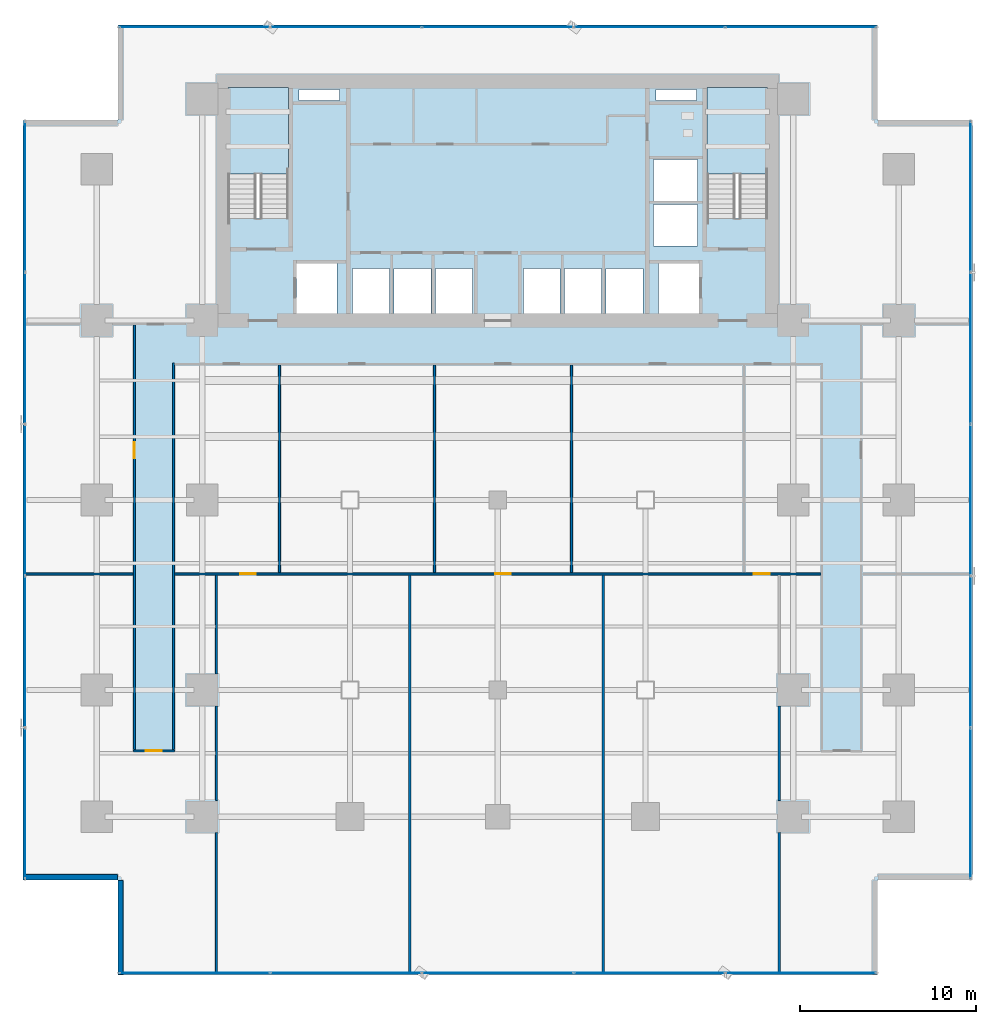
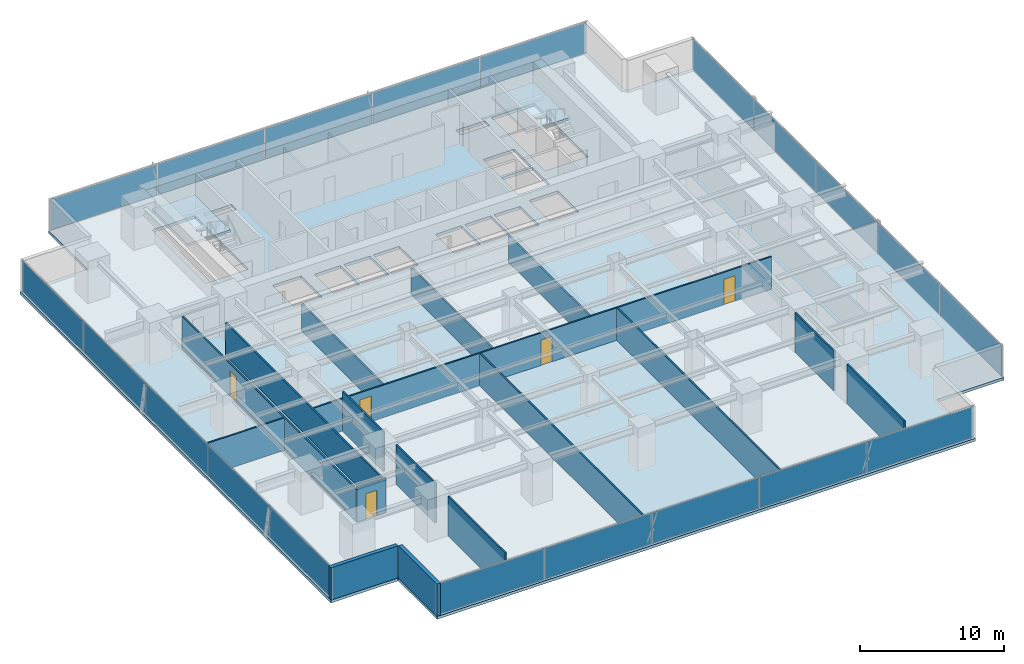
# One storey, part 24 of 33: 20 plates, 17 walls, 5 doors, 3 slabs, 5 openings, 6 elements without a shape of their own.
"""IFC4 building model written with IfcOpenShell, lengths in metres."""

from ifc_helpers import new_model, si_unit, direction, frame, frame_2d, origin, origin_2d, place, context, subcontext, project, spatial, polyline, rectangle, outline, extrude, source, transform, mapped, material, layer, layer_set, type_object, element, fill, aggregate, save


model = new_model("IFC4")

# Units and contexts
model_context = context("Model", 3, precision=1e-05, world=origin(), true_north=direction((0.0, 1.0)))
body_context = subcontext(model_context, "Body", "Model", "MODEL_VIEW")
ifc_project = project(units=[si_unit("LENGTHUNIT", "METRE"), si_unit("AREAUNIT", "SQUARE_METRE"), si_unit("VOLUMEUNIT", "CUBIC_METRE"), si_unit("PLANEANGLEUNIT", "RADIAN"), si_unit("MASSUNIT", "GRAM", prefix="KILO")], contexts=[model_context])

# Site, building, storey
site_placement = place(None, origin())
site = spatial("IfcSite", under=ifc_project, at=site_placement, CompositionType="ELEMENT")
building_placement = place(site_placement, origin())
building = spatial("IfcBuilding", under=site, at=building_placement, Name="Sumidabori Civic Tower", CompositionType="ELEMENT")
storey_placement = place(building_placement, frame((0.0, 0.0, 27.199951171875)))
storey = spatial("IfcBuildingStorey", under=building, at=storey_placement, Name="L06", CompositionType="ELEMENT", Elevation=27.199951171875)

# Stair, slab
ifc_material_1 = material(Name="Concrete C40/50", Category="concrete")
stair_type = type_object("IfcStairType", Name="ST-CORE-1600", PredefinedType="HALF_TURN_STAIR", material=ifc_material_1)
stair_1_placement = place(storey_placement, origin())
stair_1 = element("IfcStair", 1, at=stair_1_placement, inside=storey, type_object=stair_type, Name="L06 ST-1", PredefinedType="HALF_TURN_STAIR")
ifc_layer_1 = layer(ifc_material_1, 0.199951171875, Name="Concrete C40/50")
ifc_layer_set_1 = layer_set([ifc_layer_1], Name="Concrete C40/50")
slab_type_1 = type_object("IfcSlabType", Name="SL-LAND-200", PredefinedType="LANDING", material=ifc_layer_set_1)
slab_1_placement = place(storey_placement, frame((0.0, 0.0, 1.60009765625)))
slab_1 = element("IfcSlab", 2, at=slab_1_placement, type_object=slab_type_1, Name="ST-1 landing 1", PredefinedType="LANDING", context=body_context, shape_type="SweptSolid", body=[
    extrude(outline(polyline([(-11.89990234375, 18.52001953125), (-11.89990234375, 23.449951171875), (-15.340087890625, 23.449951171875), (-15.340087890625, 18.52001953125), (-11.89990234375, 18.52001953125)])), origin(), (0.0, 0.0, 1.0), 0.199951171875),
])
aggregate(stair_1, [slab_1])

stair_2_placement = place(storey_placement, origin())
stair_2 = element("IfcStair", 3, at=stair_2_placement, inside=storey, type_object=stair_type, Name="L06 ST-2", PredefinedType="HALF_TURN_STAIR")
slab_2_placement = place(storey_placement, frame((0.0, 0.0, 1.60009765625)))
slab_2 = element("IfcSlab", 4, at=slab_2_placement, type_object=slab_type_1, Name="ST-2 landing 1", PredefinedType="LANDING", context=body_context, shape_type="SweptSolid", body=[
    extrude(outline(polyline([(15.340087890625, 18.52001953125), (15.340087890625, 23.449951171875), (11.89990234375, 23.449951171875), (11.89990234375, 18.52001953125), (15.340087890625, 18.52001953125)])), origin(), (0.0, 0.0, 1.0), 0.199951171875),
])
aggregate(stair_2, [slab_2])

# Slab
ifc_layer_2 = layer(ifc_material_1, 0.239990234375, Name="Concrete C40/50")
ifc_layer_set_2 = layer_set([ifc_layer_2], Name="Concrete C40/50")
slab_type_2 = type_object("IfcSlabType", Name="SL-Z1-240", PredefinedType="FLOOR", material=ifc_layer_set_2)
slab_3_placement = place(storey_placement, frame((0.0, 0.0, -0.239990234375)))
element("IfcSlab", 5, at=slab_3_placement, inside=storey, type_object=slab_type_2, Name="Structural Slab L06", PredefinedType="FLOOR", context=body_context, shape_type="SweptSolid", body=[
    extrude(outline(polyline([(-21.60009765625, -27.0), (21.60009765625, -27.0), (21.60009765625, -21.60009765625), (27.0, -21.60009765625), (27.0, 21.60009765625), (21.60009765625, 21.60009765625), (21.60009765625, 27.0), (-21.60009765625, 27.0), (-21.60009765625, 21.60009765625), (-27.0, 21.60009765625), (-27.0, -21.60009765625), (-21.60009765625, -21.60009765625), (-21.60009765625, -27.0)]), holes=[polyline([(-11.89990234375, 16.0), (-11.89990234375, 23.449951171875), (-15.340087890625, 23.449951171875), (-15.340087890625, 16.0), (-11.89990234375, 16.0)]), polyline([(15.340087890625, 16.0), (15.340087890625, 23.449951171875), (11.89990234375, 23.449951171875), (11.89990234375, 16.0), (15.340087890625, 16.0)]), polyline([(-11.449951171875, 10.550048828125), (-9.14990234375, 10.550048828125), (-9.14990234375, 13.449951171875), (-11.449951171875, 13.449951171875), (-11.449951171875, 10.550048828125)]), polyline([(9.14990234375, 10.550048828125), (11.449951171875, 10.550048828125), (11.449951171875, 13.449951171875), (9.14990234375, 13.449951171875), (9.14990234375, 10.550048828125)]), polyline([(-8.25, 10.550048828125), (-6.14990234375, 10.550048828125), (-6.14990234375, 13.14990234375), (-8.25, 13.14990234375), (-8.25, 10.550048828125)]), polyline([(-5.89990234375, 10.550048828125), (-3.800048828125, 10.550048828125), (-3.800048828125, 13.14990234375), (-5.89990234375, 13.14990234375), (-5.89990234375, 10.550048828125)]), polyline([(-3.550048828125, 10.550048828125), (-1.449951171875, 10.550048828125), (-1.449951171875, 13.14990234375), (-3.550048828125, 13.14990234375), (-3.550048828125, 10.550048828125)]), polyline([(1.449951171875, 10.550048828125), (3.550048828125, 10.550048828125), (3.550048828125, 13.14990234375), (1.449951171875, 13.14990234375), (1.449951171875, 10.550048828125)]), polyline([(3.800048828125, 10.550048828125), (5.89990234375, 10.550048828125), (5.89990234375, 13.14990234375), (3.800048828125, 13.14990234375), (3.800048828125, 10.550048828125)]), polyline([(6.14990234375, 10.550048828125), (8.25, 10.550048828125), (8.25, 13.14990234375), (6.14990234375, 13.14990234375), (6.14990234375, 10.550048828125)]), polyline([(8.85009765625, 14.449951171875), (11.35009765625, 14.449951171875), (11.35009765625, 16.800048828125), (8.85009765625, 16.800048828125), (8.85009765625, 14.449951171875)]), polyline([(8.85009765625, 17.0), (11.35009765625, 17.0), (11.35009765625, 19.35009765625), (8.85009765625, 19.35009765625), (8.85009765625, 17.0)]), polyline([(-11.300048828125, 22.719970703125), (-9.0, 22.719970703125), (-9.0, 23.35009765625), (-11.300048828125, 23.35009765625), (-11.300048828125, 22.719970703125)]), polyline([(9.0, 22.719970703125), (11.300048828125, 22.719970703125), (11.300048828125, 23.35009765625), (9.0, 23.35009765625), (9.0, 22.719970703125)])]), origin(), (0.0, 0.0, 1.0), 0.239990234375),
])

# Curtain wall, plates
ifc_material_2 = material(Name="Anodised Bronze Aluminium AW-6063-T6", Category="aluminium")
ifc_layer_3 = layer(ifc_material_2, 0.179931640625, Name="Anodised Bronze Aluminium AW-6063-T6")
ifc_layer_set_3 = layer_set([ifc_layer_3], Name="Anodised Bronze Aluminium AW-6063-T6")
curtain_wall_type = type_object("IfcCurtainWallType", Name="CW-SYS-2", PredefinedType="NOTDEFINED", material=ifc_layer_set_3)
curtain_wall_1_placement = place(storey_placement, origin())
curtain_wall_1 = element("IfcCurtainWall", 6, at=curtain_wall_1_placement, inside=storey, type_object=curtain_wall_type, Name="Curtain Wall CW:L06:R01", PredefinedType="NOTDEFINED")
ifc_material_3 = material(Name="Low-E Solar-Control Vision Glazing", Category="glass")
ifc_layer_4 = layer(ifc_material_3, 0.028076171875, Name="Low-E Solar-Control Vision Glazing")
ifc_layer_set_4 = layer_set([ifc_layer_4], Name="Low-E Solar-Control Vision Glazing")
plate_type = type_object("IfcPlateType", Name="CW-PNL-28", PredefinedType="CURTAIN_PANEL", material=ifc_layer_set_4)
shared_shape_1 = source(origin(), body_context, "Body", "SweptSolid", [
    extrude(rectangle(XDim=8.52294921875, YDim=0.028076171875, at=origin_2d()), origin(), (0.0, 0.0, 1.0), 2.610107421875),
])
plate_1_placement = place(storey_placement, frame((-17.238525390625, -26.8798828125, 0.06494140625), z_axis=(0.0, 0.0, 1.0), x_axis=(1.0, 0.0, 0.0)))
plate_1 = element("IfcPlate", 7, at=plate_1_placement, type_object=plate_type, Name="CW-2 panel 1.1", PredefinedType="CURTAIN_PANEL", context=body_context, shape_type="MappedRepresentation", body=[
    mapped(shared_shape_1, transform((0.0, 0.0, 0.0), x_axis=(1.0, 0.0, 0.0), y_axis=(0.0, 1.0, 0.0), z_axis=(0.0, 0.0, 1.0), scale=1.0)),
])
plate_2_placement = place(storey_placement, frame((17.238525390625, -26.8798828125, 0.06494140625), z_axis=(0.0, 0.0, 1.0), x_axis=(1.0, 0.0, 0.0)))
plate_2 = element("IfcPlate", 8, at=plate_2_placement, type_object=plate_type, Name="CW-2 panel 5.1", PredefinedType="CURTAIN_PANEL", context=body_context, shape_type="MappedRepresentation", body=[
    mapped(shared_shape_1, transform((0.0, 0.0, 0.0), x_axis=(1.0, 0.0, 0.0), y_axis=(0.0, 1.0, 0.0), z_axis=(0.0, 0.0, 1.0), scale=1.0)),
])

curtain_wall_2_placement = place(storey_placement, origin())
curtain_wall_2 = element("IfcCurtainWall", 9, at=curtain_wall_2_placement, inside=storey, type_object=curtain_wall_type, Name="Curtain Wall CW:L06:R04", PredefinedType="NOTDEFINED")
plate_3_placement = place(storey_placement, frame((26.8798828125, -17.238525390625, 0.06494140625), z_axis=(0.0, 0.0, 1.0), x_axis=(0.0, 1.0, 0.0)))
plate_3 = element("IfcPlate", 10, at=plate_3_placement, type_object=plate_type, Name="CW-2 panel 1.1", PredefinedType="CURTAIN_PANEL", context=body_context, shape_type="MappedRepresentation", body=[
    mapped(shared_shape_1, transform((0.0, 0.0, 0.0), x_axis=(1.0, 0.0, 0.0), y_axis=(0.0, 1.0, 0.0), z_axis=(0.0, 0.0, 1.0), scale=1.0)),
])
plate_4_placement = place(storey_placement, frame((26.8798828125, 17.238525390625, 0.06494140625), z_axis=(0.0, 0.0, 1.0), x_axis=(0.0, 1.0, 0.0)))
plate_4 = element("IfcPlate", 11, at=plate_4_placement, type_object=plate_type, Name="CW-2 panel 5.1", PredefinedType="CURTAIN_PANEL", context=body_context, shape_type="MappedRepresentation", body=[
    mapped(shared_shape_1, transform((0.0, 0.0, 0.0), x_axis=(1.0, 0.0, 0.0), y_axis=(0.0, 1.0, 0.0), z_axis=(0.0, 0.0, 1.0), scale=1.0)),
])

curtain_wall_3_placement = place(storey_placement, origin())
curtain_wall_3 = element("IfcCurtainWall", 12, at=curtain_wall_3_placement, inside=storey, type_object=curtain_wall_type, Name="Curtain Wall CW:L06:R07", PredefinedType="NOTDEFINED")
plate_5_placement = place(storey_placement, frame((17.238525390625, 26.8798828125, 0.06494140625), z_axis=(0.0, 0.0, 1.0), x_axis=(-1.0, 0.0, 0.0)))
plate_5 = element("IfcPlate", 13, at=plate_5_placement, type_object=plate_type, Name="CW-2 panel 1.1", PredefinedType="CURTAIN_PANEL", context=body_context, shape_type="MappedRepresentation", body=[
    mapped(shared_shape_1, transform((0.0, 0.0, 0.0), x_axis=(1.0, 0.0, 0.0), y_axis=(0.0, 1.0, 0.0), z_axis=(0.0, 0.0, 1.0), scale=1.0)),
])
plate_6_placement = place(storey_placement, frame((-17.238525390625, 26.8798828125, 0.06494140625), z_axis=(0.0, 0.0, 1.0), x_axis=(-1.0, 0.0, 0.0)))
plate_6 = element("IfcPlate", 14, at=plate_6_placement, type_object=plate_type, Name="CW-2 panel 5.1", PredefinedType="CURTAIN_PANEL", context=body_context, shape_type="MappedRepresentation", body=[
    mapped(shared_shape_1, transform((0.0, 0.0, 0.0), x_axis=(1.0, 0.0, 0.0), y_axis=(0.0, 1.0, 0.0), z_axis=(0.0, 0.0, 1.0), scale=1.0)),
])

curtain_wall_4_placement = place(storey_placement, origin())
curtain_wall_4 = element("IfcCurtainWall", 15, at=curtain_wall_4_placement, inside=storey, type_object=curtain_wall_type, Name="Curtain Wall CW:L06:R10", PredefinedType="NOTDEFINED")
plate_7_placement = place(storey_placement, frame((-26.8798828125, 17.238525390625, 0.06494140625), z_axis=(0.0, 0.0, 1.0), x_axis=(0.0, -1.0, 0.0)))
plate_7 = element("IfcPlate", 16, at=plate_7_placement, type_object=plate_type, Name="CW-2 panel 1.1", PredefinedType="CURTAIN_PANEL", context=body_context, shape_type="MappedRepresentation", body=[
    mapped(shared_shape_1, transform((0.0, 0.0, 0.0), x_axis=(1.0, 0.0, 0.0), y_axis=(0.0, 1.0, 0.0), z_axis=(0.0, 0.0, 1.0), scale=1.0)),
])
plate_8_placement = place(storey_placement, frame((-26.8798828125, -17.238525390625, 0.06494140625), z_axis=(0.0, 0.0, 1.0), x_axis=(0.0, -1.0, 0.0)))
plate_8 = element("IfcPlate", 17, at=plate_8_placement, type_object=plate_type, Name="CW-2 panel 5.1", PredefinedType="CURTAIN_PANEL", context=body_context, shape_type="MappedRepresentation", body=[
    mapped(shared_shape_1, transform((0.0, 0.0, 0.0), x_axis=(1.0, 0.0, 0.0), y_axis=(0.0, 1.0, 0.0), z_axis=(0.0, 0.0, 1.0), scale=1.0)),
])

# Plate
shared_shape_2 = source(origin(), body_context, "Body", "SweptSolid", [
    extrude(rectangle(XDim=8.55810546875, YDim=0.028076171875, at=origin_2d()), origin(), (0.0, 0.0, 1.0), 2.610107421875),
])
plate_9_placement = place(storey_placement, frame((-8.6279296875, -26.8798828125, 0.06494140625), z_axis=(0.0, 0.0, 1.0), x_axis=(1.0, 0.0, 0.0)))
plate_9 = element("IfcPlate", 18, at=plate_9_placement, type_object=plate_type, Name="CW-2 panel 2.1", PredefinedType="CURTAIN_PANEL", context=body_context, shape_type="MappedRepresentation", body=[
    mapped(shared_shape_2, transform((0.0, 0.0, 0.0), x_axis=(1.0, 0.0, 0.0), y_axis=(0.0, 1.0, 0.0), z_axis=(0.0, 0.0, 1.0), scale=1.0)),
])

plate_10_placement = place(storey_placement, frame((0.0, -26.8798828125, 0.06494140625), z_axis=(0.0, 0.0, 1.0), x_axis=(1.0, 0.0, 0.0)))
plate_10 = element("IfcPlate", 19, at=plate_10_placement, type_object=plate_type, Name="CW-2 panel 3.1", PredefinedType="CURTAIN_PANEL", context=body_context, shape_type="MappedRepresentation", body=[
    mapped(shared_shape_2, transform((0.0, 0.0, 0.0), x_axis=(1.0, 0.0, 0.0), y_axis=(0.0, 1.0, 0.0), z_axis=(0.0, 0.0, 1.0), scale=1.0)),
])

plate_11_placement = place(storey_placement, frame((8.6279296875, -26.8798828125, 0.06494140625), z_axis=(0.0, 0.0, 1.0), x_axis=(1.0, 0.0, 0.0)))
plate_11 = element("IfcPlate", 20, at=plate_11_placement, type_object=plate_type, Name="CW-2 panel 4.1", PredefinedType="CURTAIN_PANEL", context=body_context, shape_type="MappedRepresentation", body=[
    mapped(shared_shape_2, transform((0.0, 0.0, 0.0), x_axis=(1.0, 0.0, 0.0), y_axis=(0.0, 1.0, 0.0), z_axis=(0.0, 0.0, 1.0), scale=1.0)),
])

aggregate(curtain_wall_1, [plate_1, plate_9, plate_10, plate_11, plate_2])

plate_12_placement = place(storey_placement, frame((26.8798828125, -8.6279296875, 0.06494140625), z_axis=(0.0, 0.0, 1.0), x_axis=(0.0, 1.0, 0.0)))
plate_12 = element("IfcPlate", 21, at=plate_12_placement, type_object=plate_type, Name="CW-2 panel 2.1", PredefinedType="CURTAIN_PANEL", context=body_context, shape_type="MappedRepresentation", body=[
    mapped(shared_shape_2, transform((0.0, 0.0, 0.0), x_axis=(1.0, 0.0, 0.0), y_axis=(0.0, 1.0, 0.0), z_axis=(0.0, 0.0, 1.0), scale=1.0)),
])

plate_13_placement = place(storey_placement, frame((26.8798828125, 0.0, 0.06494140625), z_axis=(0.0, 0.0, 1.0), x_axis=(0.0, 1.0, 0.0)))
plate_13 = element("IfcPlate", 22, at=plate_13_placement, type_object=plate_type, Name="CW-2 panel 3.1", PredefinedType="CURTAIN_PANEL", context=body_context, shape_type="MappedRepresentation", body=[
    mapped(shared_shape_2, transform((0.0, 0.0, 0.0), x_axis=(1.0, 0.0, 0.0), y_axis=(0.0, 1.0, 0.0), z_axis=(0.0, 0.0, 1.0), scale=1.0)),
])

plate_14_placement = place(storey_placement, frame((26.8798828125, 8.6279296875, 0.06494140625), z_axis=(0.0, 0.0, 1.0), x_axis=(0.0, 1.0, 0.0)))
plate_14 = element("IfcPlate", 23, at=plate_14_placement, type_object=plate_type, Name="CW-2 panel 4.1", PredefinedType="CURTAIN_PANEL", context=body_context, shape_type="MappedRepresentation", body=[
    mapped(shared_shape_2, transform((0.0, 0.0, 0.0), x_axis=(1.0, 0.0, 0.0), y_axis=(0.0, 1.0, 0.0), z_axis=(0.0, 0.0, 1.0), scale=1.0)),
])

aggregate(curtain_wall_2, [plate_3, plate_12, plate_13, plate_14, plate_4])

plate_15_placement = place(storey_placement, frame((8.6279296875, 26.8798828125, 0.06494140625), z_axis=(0.0, 0.0, 1.0), x_axis=(-1.0, 0.0, 0.0)))
plate_15 = element("IfcPlate", 24, at=plate_15_placement, type_object=plate_type, Name="CW-2 panel 2.1", PredefinedType="CURTAIN_PANEL", context=body_context, shape_type="MappedRepresentation", body=[
    mapped(shared_shape_2, transform((0.0, 0.0, 0.0), x_axis=(1.0, 0.0, 0.0), y_axis=(0.0, 1.0, 0.0), z_axis=(0.0, 0.0, 1.0), scale=1.0)),
])

plate_16_placement = place(storey_placement, frame((0.0, 26.8798828125, 0.06494140625), z_axis=(0.0, 0.0, 1.0), x_axis=(-1.0, 0.0, 0.0)))
plate_16 = element("IfcPlate", 25, at=plate_16_placement, type_object=plate_type, Name="CW-2 panel 3.1", PredefinedType="CURTAIN_PANEL", context=body_context, shape_type="MappedRepresentation", body=[
    mapped(shared_shape_2, transform((0.0, 0.0, 0.0), x_axis=(1.0, 0.0, 0.0), y_axis=(0.0, 1.0, 0.0), z_axis=(0.0, 0.0, 1.0), scale=1.0)),
])

plate_17_placement = place(storey_placement, frame((-8.6279296875, 26.8798828125, 0.06494140625), z_axis=(0.0, 0.0, 1.0), x_axis=(-1.0, 0.0, 0.0)))
plate_17 = element("IfcPlate", 26, at=plate_17_placement, type_object=plate_type, Name="CW-2 panel 4.1", PredefinedType="CURTAIN_PANEL", context=body_context, shape_type="MappedRepresentation", body=[
    mapped(shared_shape_2, transform((0.0, 0.0, 0.0), x_axis=(1.0, 0.0, 0.0), y_axis=(0.0, 1.0, 0.0), z_axis=(0.0, 0.0, 1.0), scale=1.0)),
])

aggregate(curtain_wall_3, [plate_5, plate_15, plate_16, plate_17, plate_6])

plate_18_placement = place(storey_placement, frame((-26.8798828125, 8.6279296875, 0.06494140625), z_axis=(0.0, 0.0, 1.0), x_axis=(0.0, -1.0, 0.0)))
plate_18 = element("IfcPlate", 27, at=plate_18_placement, type_object=plate_type, Name="CW-2 panel 2.1", PredefinedType="CURTAIN_PANEL", context=body_context, shape_type="MappedRepresentation", body=[
    mapped(shared_shape_2, transform((0.0, 0.0, 0.0), x_axis=(1.0, 0.0, 0.0), y_axis=(0.0, 1.0, 0.0), z_axis=(0.0, 0.0, 1.0), scale=1.0)),
])

plate_19_placement = place(storey_placement, frame((-26.8798828125, 0.0, 0.06494140625), z_axis=(0.0, 0.0, 1.0), x_axis=(0.0, -1.0, 0.0)))
plate_19 = element("IfcPlate", 28, at=plate_19_placement, type_object=plate_type, Name="CW-2 panel 3.1", PredefinedType="CURTAIN_PANEL", context=body_context, shape_type="MappedRepresentation", body=[
    mapped(shared_shape_2, transform((0.0, 0.0, 0.0), x_axis=(1.0, 0.0, 0.0), y_axis=(0.0, 1.0, 0.0), z_axis=(0.0, 0.0, 1.0), scale=1.0)),
])

plate_20_placement = place(storey_placement, frame((-26.8798828125, -8.6279296875, 0.06494140625), z_axis=(0.0, 0.0, 1.0), x_axis=(0.0, -1.0, 0.0)))
plate_20 = element("IfcPlate", 29, at=plate_20_placement, type_object=plate_type, Name="CW-2 panel 4.1", PredefinedType="CURTAIN_PANEL", context=body_context, shape_type="MappedRepresentation", body=[
    mapped(shared_shape_2, transform((0.0, 0.0, 0.0), x_axis=(1.0, 0.0, 0.0), y_axis=(0.0, 1.0, 0.0), z_axis=(0.0, 0.0, 1.0), scale=1.0)),
])

aggregate(curtain_wall_4, [plate_7, plate_18, plate_19, plate_20, plate_8])

# Walls
ifc_material_4 = material(Name="Precast concrete C40/50", Category="concrete")
ifc_layer_5 = layer(ifc_material_4, 0.300048828125, Name="Precast concrete C40/50")
ifc_layer_set_5 = layer_set([ifc_layer_5], Name="Precast concrete C40/50")
wall_type_1 = type_object("IfcWallType", Name="WL-EXT-POD300", PredefinedType="STANDARD", material=ifc_layer_set_5)
shared_shape_3 = source(origin(), body_context, "Body", "SweptSolid", [
    extrude(rectangle(XDim=5.35986328125, YDim=0.300048828125, at=frame_2d((2.679931640625, 0.0))), origin(), (0.0, 0.0, 1.0), 2.739990234375),
])
for number, where, z_axis, x_axis, name in (
    (30, (-26.97998046875, -21.449951171875, 0.0), (0.0, 0.0, 1.0), (1.0, 0.0, 0.0), "Notched Corner Spandrel Band L06-11"),
    (31, (-21.449951171875, -21.6201171875, 0.0), (0.0, 0.0, 1.0), (0.0, -1.0, 0.0), "Notched Corner Spandrel Band L06-12"),
):
    element("IfcWall", number, at=place(storey_placement, frame(where, z_axis=z_axis, x_axis=x_axis)), inside=storey, type_object=wall_type_1, Name=name, PredefinedType="STANDARD", context=body_context, shape_type="MappedRepresentation", body=[
        mapped(shared_shape_3, transform((0.0, 0.0, 0.0), x_axis=(1.0, 0.0, 0.0), y_axis=(0.0, 1.0, 0.0), z_axis=(0.0, 0.0, 1.0), scale=1.0)),
    ])

# Wall, opening, door
ifc_material_5 = material(Name="Gypsum Plasterboard Acoustic Partition")
ifc_layer_6 = layer(ifc_material_5, 0.1201171875, Name="Gypsum Plasterboard Acoustic Partition")
ifc_layer_set_6 = layer_set([ifc_layer_6], Name="Gypsum Plasterboard Acoustic Partition")
wall_type_2 = type_object("IfcWallType", Name="WL-PART-120", PredefinedType="PARTITIONING", material=ifc_layer_set_6)
shared_shape_4 = source(origin(), body_context, "Body", "SweptSolid", [
    extrude(rectangle(XDim=2.340087890625, YDim=0.1201171875, at=frame_2d((1.169921875, 0.0))), origin(), (0.0, 0.0, 1.0), 2.945068359375),
])
wall_1_placement = place(storey_placement, frame((-20.719970703125, -14.260009765625, 0.0), z_axis=(0.0, 0.0, 1.0), x_axis=(1.0, 0.0, 0.0)))
wall_1 = element("IfcWall", 32, at=wall_1_placement, inside=storey, type_object=wall_type_2, Name="Interior Partition WL:L06:CORR-CAP-W", PredefinedType="PARTITIONING", context=body_context, shape_type="MappedRepresentation", body=[
    mapped(shared_shape_4, transform((0.0, 0.0, 0.0), x_axis=(1.0, 0.0, 0.0), y_axis=(0.0, 1.0, 0.0), z_axis=(0.0, 0.0, 1.0), scale=1.0)),
])
opening_1_placement = place(wall_1_placement, frame((0.719970703125, 0.0, 0.0)))
opening_1 = element("IfcOpeningElement", 33, at=opening_1_placement, cuts=wall_1, Name="Opening DR-1", PredefinedType="OPENING", context=body_context, shape_type="SweptSolid", body=[
    extrude(rectangle(XDim=0.89990234375, YDim=2.14990234375, at=frame_2d((0.449951171875, 1.074951171875))), frame((0.0, 0.072021484375, 0.0), z_axis=(0.0, -1.0, 0.0), x_axis=(1.0, 0.0, 0.0)), (0.0, 0.0, 1.0), 0.14404296875),
])
ifc_material_6 = material(Name="Japanese Hinoki Timber", Category="wood")
door_type = type_object("IfcDoorType", Name="DR-INT-900", OperationType="NOTDEFINED", PredefinedType="DOOR", material=ifc_material_6)
shared_shape_5 = source(origin(), body_context, "Body", "SweptSolid", [
    extrude(rectangle(XDim=0.89990234375, YDim=2.14990234375, at=frame_2d((0.449951171875, 1.074951171875))), frame((0.0, 0.02490234375, 0.0), z_axis=(0.0, -1.0, 0.0), x_axis=(1.0, 0.0, 0.0)), (0.0, 0.0, 1.0), 0.050048828125),
])
door_1_placement = place(opening_1_placement, origin())
door_1 = element("IfcDoor", 34, at=door_1_placement, inside=storey, type_object=door_type, Name="Door DR:L06:D09", OperationType="SINGLE_SWING_LEFT", OverallHeight=2.14990234375, OverallWidth=0.89990234375, PredefinedType="DOOR", context=body_context, shape_type="MappedRepresentation", body=[
    mapped(shared_shape_5, transform((0.0, 0.0, 0.0), x_axis=(1.0, 0.0, 0.0), y_axis=(0.0, 1.0, 0.0), z_axis=(0.0, 0.0, 1.0), scale=1.0)),
])
fill(opening_1, door_1)

shared_shape_6 = source(origin(), body_context, "Body", "SweptSolid", [
    extrude(rectangle(XDim=24.130126953125, YDim=0.1201171875, at=frame_2d((12.06494140625, 0.0))), origin(), (0.0, 0.0, 1.0), 2.7451171875),
])
wall_2_placement = place(storey_placement, frame((-20.659912109375, -14.195068359375, 0.0), z_axis=(0.0, 0.0, 1.0), x_axis=(0.0, 1.0, 0.0)))
wall_2 = element("IfcWall", 35, at=wall_2_placement, inside=storey, type_object=wall_type_2, Name="Interior Partition WL:L06:CORR-VW-OUT", PredefinedType="PARTITIONING", context=body_context, shape_type="MappedRepresentation", body=[
    mapped(shared_shape_6, transform((0.0, 0.0, 0.0), x_axis=(1.0, 0.0, 0.0), y_axis=(0.0, 1.0, 0.0), z_axis=(0.0, 0.0, 1.0), scale=1.0)),
])
opening_2_placement = place(wall_2_placement, frame((16.58251953125, 0.0, 0.0)))
opening_2 = element("IfcOpeningElement", 36, at=opening_2_placement, cuts=wall_2, Name="Opening DR-1", PredefinedType="OPENING", context=body_context, shape_type="SweptSolid", body=[
    extrude(rectangle(XDim=0.89990234375, YDim=2.14990234375, at=frame_2d((0.449951171875, 1.074951171875))), frame((0.0, 0.072021484375, 0.0), z_axis=(0.0, -1.0, 0.0), x_axis=(1.0, 0.0, 0.0)), (0.0, 0.0, 1.0), 0.14404296875),
])
door_2_placement = place(opening_2_placement, origin())
door_2 = element("IfcDoor", 37, at=door_2_placement, inside=storey, type_object=door_type, Name="Door DR:L06:D02", OperationType="SINGLE_SWING_RIGHT", OverallHeight=2.14990234375, OverallWidth=0.89990234375, PredefinedType="DOOR", context=body_context, shape_type="MappedRepresentation", body=[
    mapped(shared_shape_5, transform((0.0, 0.0, 0.0), x_axis=(1.0, 0.0, 0.0), y_axis=(0.0, 1.0, 0.0), z_axis=(0.0, 0.0, 1.0), scale=1.0)),
])
fill(opening_2, door_2)

# Walls
shared_shape_7 = source(origin(), body_context, "Body", "SweptSolid", [
    extrude(rectangle(XDim=21.9951171875, YDim=0.1201171875, at=frame_2d((10.99755859375, 0.0))), origin(), (0.0, 0.0, 1.0), 2.7451171875),
])
wall_3_placement = place(storey_placement, frame((-18.43994140625, -14.195068359375, 0.0), z_axis=(0.0, 0.0, 1.0), x_axis=(0.0, 1.0, 0.0)))
element("IfcWall", 38, at=wall_3_placement, inside=storey, type_object=wall_type_2, Name="Interior Partition WL:L06:CORR-VW-IN", PredefinedType="PARTITIONING", context=body_context, shape_type="MappedRepresentation", body=[
    mapped(shared_shape_7, transform((0.0, 0.0, 0.0), x_axis=(1.0, 0.0, 0.0), y_axis=(0.0, 1.0, 0.0), z_axis=(0.0, 0.0, 1.0), scale=1.0)),
])
shared_shape_8 = source(origin(), body_context, "Body", "SweptSolid", [
    extrude(rectangle(XDim=6.125, YDim=0.1201171875, at=frame_2d((3.0625, 0.0))), origin(), (0.0, 0.0, 1.0), 2.7451171875),
])
wall_4_placement = place(storey_placement, frame((-26.85009765625, -4.199951171875, 0.0), z_axis=(0.0, 0.0, 1.0), x_axis=(1.0, 0.0, 0.0)))
element("IfcWall", 39, at=wall_4_placement, inside=storey, type_object=wall_type_2, Name="Interior Partition WL:L06:BAND-Y-1", PredefinedType="PARTITIONING", context=body_context, shape_type="MappedRepresentation", body=[
    mapped(shared_shape_8, transform((0.0, 0.0, 0.0), x_axis=(1.0, 0.0, 0.0), y_axis=(0.0, 1.0, 0.0), z_axis=(0.0, 0.0, 1.0), scale=1.0)),
])

# Wall, openings, doors
shared_shape_9 = source(origin(), body_context, "Body", "SweptSolid", [
    extrude(rectangle(XDim=36.75, YDim=0.1201171875, at=frame_2d((18.375, 0.0))), origin(), (0.0, 0.0, 1.0), 2.7451171875),
])
wall_5_placement = place(storey_placement, frame((-18.375, -4.199951171875, 0.0), z_axis=(0.0, 0.0, 1.0), x_axis=(1.0, 0.0, 0.0)))
wall_5 = element("IfcWall", 40, at=wall_5_placement, inside=storey, type_object=wall_type_2, Name="Interior Partition WL:L06:BAND-Y-2", PredefinedType="PARTITIONING", context=body_context, shape_type="MappedRepresentation", body=[
    mapped(shared_shape_9, transform((0.0, 0.0, 0.0), x_axis=(1.0, 0.0, 0.0), y_axis=(0.0, 1.0, 0.0), z_axis=(0.0, 0.0, 1.0), scale=1.0)),
])
opening_3_placement = place(wall_5_placement, frame((3.72509765625, 0.0, 0.0)))
opening_3 = element("IfcOpeningElement", 41, at=opening_3_placement, cuts=wall_5, Name="Opening DR-1", PredefinedType="OPENING", context=body_context, shape_type="SweptSolid", body=[
    extrude(rectangle(XDim=0.89990234375, YDim=2.14990234375, at=frame_2d((0.449951171875, 1.074951171875))), frame((0.0, 0.072021484375, 0.0), z_axis=(0.0, -1.0, 0.0), x_axis=(1.0, 0.0, 0.0)), (0.0, 0.0, 1.0), 0.14404296875),
])
opening_4_placement = place(wall_5_placement, frame((18.22509765625, 0.0, 0.0)))
opening_4 = element("IfcOpeningElement", 42, at=opening_4_placement, cuts=wall_5, Name="Opening DR-1", PredefinedType="OPENING", context=body_context, shape_type="SweptSolid", body=[
    extrude(rectangle(XDim=0.89990234375, YDim=2.14990234375, at=frame_2d((0.449951171875, 1.074951171875))), frame((0.0, 0.072021484375, 0.0), z_axis=(0.0, -1.0, 0.0), x_axis=(1.0, 0.0, 0.0)), (0.0, 0.0, 1.0), 0.14404296875),
])
opening_5_placement = place(wall_5_placement, frame((32.925048828125, 0.0, 0.0)))
opening_5 = element("IfcOpeningElement", 43, at=opening_5_placement, cuts=wall_5, Name="Opening DR-1", PredefinedType="OPENING", context=body_context, shape_type="SweptSolid", body=[
    extrude(rectangle(XDim=0.89990234375, YDim=2.14990234375, at=frame_2d((0.449951171875, 1.074951171875))), frame((0.0, 0.072021484375, 0.0), z_axis=(0.0, -1.0, 0.0), x_axis=(1.0, 0.0, 0.0)), (0.0, 0.0, 1.0), 0.14404296875),
])
door_3_placement = place(opening_3_placement, origin())
door_3 = element("IfcDoor", 44, at=door_3_placement, inside=storey, type_object=door_type, Name="Door DR:L06:D11", OperationType="SINGLE_SWING_LEFT", OverallHeight=2.14990234375, OverallWidth=0.89990234375, PredefinedType="DOOR", context=body_context, shape_type="MappedRepresentation", body=[
    mapped(shared_shape_5, transform((0.0, 0.0, 0.0), x_axis=(1.0, 0.0, 0.0), y_axis=(0.0, 1.0, 0.0), z_axis=(0.0, 0.0, 1.0), scale=1.0)),
])
fill(opening_3, door_3)
door_4_placement = place(opening_4_placement, origin())
door_4 = element("IfcDoor", 45, at=door_4_placement, inside=storey, type_object=door_type, Name="Door DR:L06:D12", OperationType="SINGLE_SWING_RIGHT", OverallHeight=2.14990234375, OverallWidth=0.89990234375, PredefinedType="DOOR", context=body_context, shape_type="MappedRepresentation", body=[
    mapped(shared_shape_5, transform((0.0, 0.0, 0.0), x_axis=(1.0, 0.0, 0.0), y_axis=(0.0, 1.0, 0.0), z_axis=(0.0, 0.0, 1.0), scale=1.0)),
])
fill(opening_4, door_4)
door_5_placement = place(opening_5_placement, origin())
door_5 = element("IfcDoor", 46, at=door_5_placement, inside=storey, type_object=door_type, Name="Door DR:L06:D13", OperationType="SINGLE_SWING_LEFT", OverallHeight=2.14990234375, OverallWidth=0.89990234375, PredefinedType="DOOR", context=body_context, shape_type="MappedRepresentation", body=[
    mapped(shared_shape_5, transform((0.0, 0.0, 0.0), x_axis=(1.0, 0.0, 0.0), y_axis=(0.0, 1.0, 0.0), z_axis=(0.0, 0.0, 1.0), scale=1.0)),
])
fill(opening_5, door_5)

# Walls
shared_shape_10 = source(origin(), body_context, "Body", "SweptSolid", [
    extrude(rectangle(XDim=11.81005859375, YDim=0.1201171875, at=frame_2d((5.905029296875, 0.0))), origin(), (0.0, 0.0, 1.0), 2.301025390625),
])
for number, where, z_axis, x_axis, name in (
    (47, (-12.39990234375, -4.135009765625, 0.0), (0.0, 0.0, 1.0), (0.0, 1.0, 0.0), "Interior Partition WL:L06:VX-N2"),
    (48, (-3.60009765625, -4.135009765625, 0.0), (0.0, 0.0, 1.0), (0.0, 1.0, 0.0), "Interior Partition WL:L06:VX-N3"),
    (49, (4.199951171875, -4.135009765625, 0.0), (0.0, 0.0, 1.0), (0.0, 1.0, 0.0), "Interior Partition WL:L06:VX-N4"),
):
    element("IfcWall", number, at=place(storey_placement, frame(where, z_axis=z_axis, x_axis=x_axis)), inside=storey, type_object=wall_type_2, Name=name, PredefinedType="PARTITIONING", context=body_context, shape_type="MappedRepresentation", body=[
        mapped(shared_shape_10, transform((0.0, 0.0, 0.0), x_axis=(1.0, 0.0, 0.0), y_axis=(0.0, 1.0, 0.0), z_axis=(0.0, 0.0, 1.0), scale=1.0)),
    ])
shared_shape_11 = source(origin(), body_context, "Body", "SweptSolid", [
    extrude(rectangle(XDim=7.940185546875, YDim=0.1201171875, at=frame_2d((3.97021484375, 0.0))), origin(), (0.0, 0.0, 1.0), 3.360107421875),
])
for number, where, z_axis, x_axis, name in (
    (50, (-16.0, -26.85009765625, 0.0), (0.0, 0.0, 1.0), (0.0, 1.0, 0.0), "Interior Partition WL:L06:VX-S1-1"),
    (51, (16.0, -26.85009765625, 0.0), (0.0, 0.0, 1.0), (0.0, 1.0, 0.0), "Interior Partition WL:L06:VX-S4-1"),
):
    element("IfcWall", number, at=place(storey_placement, frame(where, z_axis=z_axis, x_axis=x_axis)), inside=storey, type_object=wall_type_2, Name=name, PredefinedType="PARTITIONING", context=body_context, shape_type="MappedRepresentation", body=[
        mapped(shared_shape_11, transform((0.0, 0.0, 0.0), x_axis=(1.0, 0.0, 0.0), y_axis=(0.0, 1.0, 0.0), z_axis=(0.0, 0.0, 1.0), scale=1.0)),
    ])
shared_shape_12 = source(origin(), body_context, "Body", "SweptSolid", [
    extrude(rectangle(XDim=5.380126953125, YDim=0.1201171875, at=frame_2d((2.68994140625, 0.0))), origin(), (0.0, 0.0, 1.0), 3.360107421875),
])
for number, where, z_axis, x_axis, name in (
    (52, (-16.0, -17.090087890625, 0.0), (0.0, 0.0, 1.0), (0.0, 1.0, 0.0), "Interior Partition WL:L06:VX-S1-2"),
    (53, (16.0, -17.090087890625, 0.0), (0.0, 0.0, 1.0), (0.0, 1.0, 0.0), "Interior Partition WL:L06:VX-S4-2"),
):
    element("IfcWall", number, at=place(storey_placement, frame(where, z_axis=z_axis, x_axis=x_axis)), inside=storey, type_object=wall_type_2, Name=name, PredefinedType="PARTITIONING", context=body_context, shape_type="MappedRepresentation", body=[
        mapped(shared_shape_12, transform((0.0, 0.0, 0.0), x_axis=(1.0, 0.0, 0.0), y_axis=(0.0, 1.0, 0.0), z_axis=(0.0, 0.0, 1.0), scale=1.0)),
    ])
shared_shape_13 = source(origin(), body_context, "Body", "SweptSolid", [
    extrude(rectangle(XDim=5.625, YDim=0.1201171875, at=frame_2d((2.8125, 0.0))), origin(), (0.0, 0.0, 1.0), 3.360107421875),
])
wall_6_placement = place(storey_placement, frame((-16.0, -9.889892578125, 0.0), z_axis=(0.0, 0.0, 1.0), x_axis=(0.0, 1.0, 0.0)))
element("IfcWall", 54, at=wall_6_placement, inside=storey, type_object=wall_type_2, Name="Interior Partition WL:L06:VX-S1-3", PredefinedType="PARTITIONING", context=body_context, shape_type="MappedRepresentation", body=[
    mapped(shared_shape_13, transform((0.0, 0.0, 0.0), x_axis=(1.0, 0.0, 0.0), y_axis=(0.0, 1.0, 0.0), z_axis=(0.0, 0.0, 1.0), scale=1.0)),
])
shared_shape_14 = source(origin(), body_context, "Body", "SweptSolid", [
    extrude(rectangle(XDim=22.585205078125, YDim=0.1201171875, at=frame_2d((11.29248046875, 0.0))), origin(), (0.0, 0.0, 1.0), 2.7451171875),
])
for number, where, z_axis, x_axis, name in (
    (55, (-5.0, -26.85009765625, 0.0), (0.0, 0.0, 1.0), (0.0, 1.0, 0.0), "Interior Partition WL:L06:VX-S2"),
    (56, (6.0, -26.85009765625, 0.0), (0.0, 0.0, 1.0), (0.0, 1.0, 0.0), "Interior Partition WL:L06:VX-S3"),
):
    element("IfcWall", number, at=place(storey_placement, frame(where, z_axis=z_axis, x_axis=x_axis)), inside=storey, type_object=wall_type_2, Name=name, PredefinedType="PARTITIONING", context=body_context, shape_type="MappedRepresentation", body=[
        mapped(shared_shape_14, transform((0.0, 0.0, 0.0), x_axis=(1.0, 0.0, 0.0), y_axis=(0.0, 1.0, 0.0), z_axis=(0.0, 0.0, 1.0), scale=1.0)),
    ])

save(model, "model.ifc")
